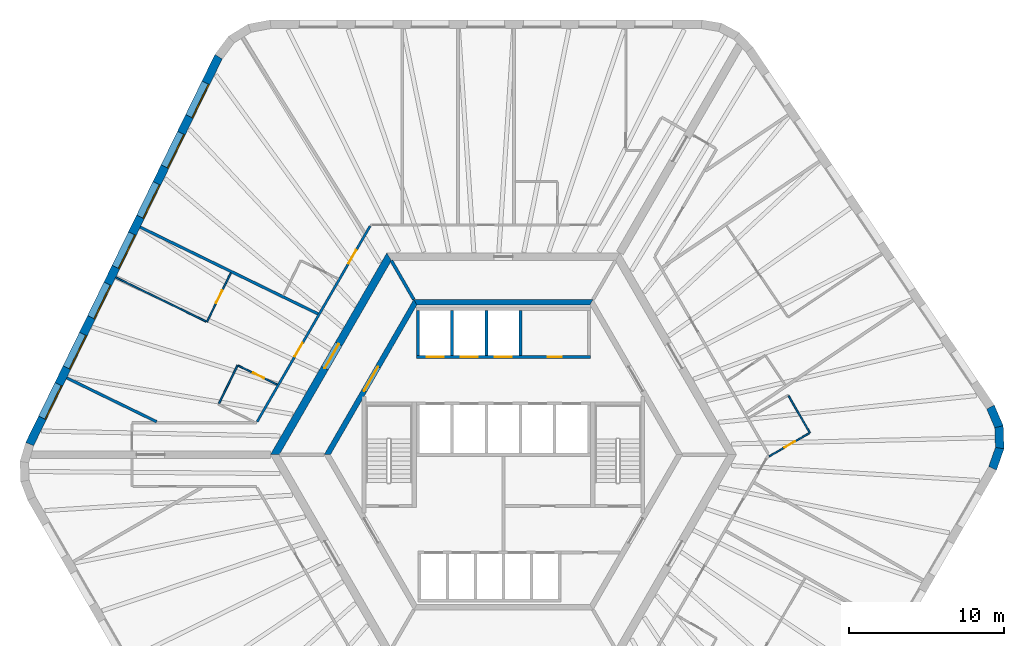
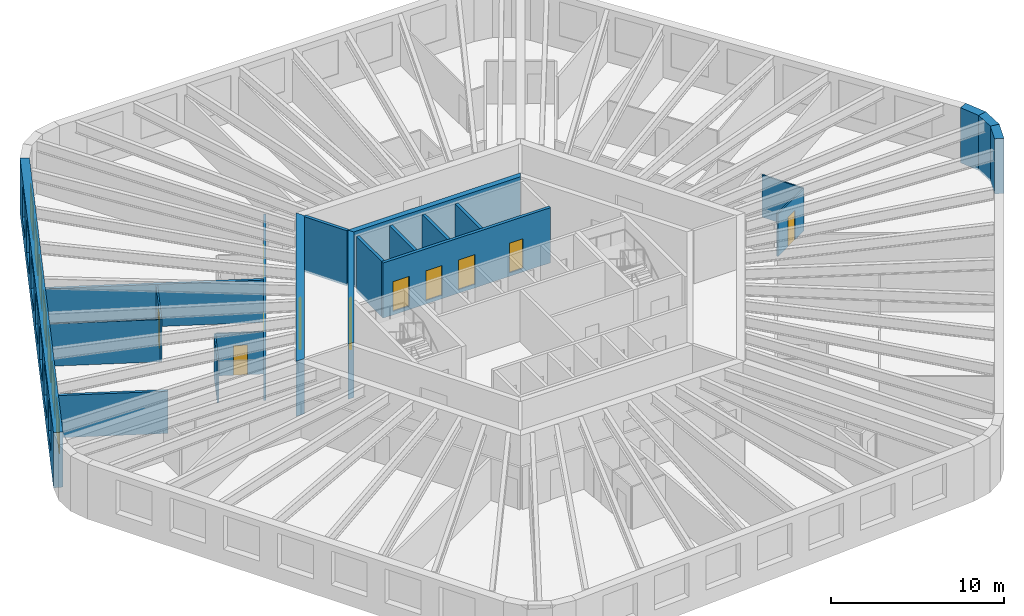
# One storey, part 6 of 9: 22 walls, 11 doors, 7 windows, 18 openings.
"""IFC4 building model written with IfcOpenShell, lengths in metres."""

import ifcopenshell
import ifcopenshell.guid

model = None  # the IFC model being written
_history = None  # IfcOwnerHistory: only IFC2X3 demands one
_inside = {}  # id of a spatial element -> (the spatial element, [elements in it])
_under = {}  # id of a project, library or spatial element -> (it, [spatial elements below it])
_declared = {}  # id of a project -> (the project, [libraries it declares])
_typed = {}  # id of a type object -> (the type object, [elements of that type])
_made_of = {}  # id of a material, layer set ... -> (it, [elements and type objects made of it])


def new_model(schema):
    """Start an empty IFC model of exactly this schema.

    Asked for "IFC4X3", IfcOpenShell would pick the latest addendum, in which some entities
    have other attributes; the version numbers below select the first issue.
    IFC2X3 requires an IfcOwnerHistory on every rooted entity: one is made here for all.
    """
    global model, _history
    if schema == "IFC4X3":
        model = ifcopenshell.file(schema_version=(4, 3, 0, 0))
    else:
        model = ifcopenshell.file(schema=schema)
    _inside.clear()
    _under.clear()
    _declared.clear()
    _typed.clear()
    _made_of.clear()
    _history = None
    if model.schema == "IFC2X3":
        org = make("IfcOrganization", Name="unknown")
        user = make(
            "IfcPersonAndOrganization",
            ThePerson=make("IfcPerson", FamilyName="unknown"),
            TheOrganization=org,
        )
        app = make(
            "IfcApplication",
            ApplicationDeveloper=org,
            Version="unknown",
            ApplicationFullName="unknown",
            ApplicationIdentifier="unknown",
        )
        _history = make(
            "IfcOwnerHistory",
            OwningUser=user,
            OwningApplication=app,
            ChangeAction="ADDED",
            CreationDate=0,
        )
    return model


def make(cls, **values):
    """One entity of the class cls with the attributes given. An attribute that is None is left unset."""
    return model.create_entity(
        cls, **{name: value for name, value in values.items() if value is not None}
    )


def rooted(cls, **values):
    """An entity with a GlobalId (a new one), such as an element, a storey or a relation."""
    return make(cls, GlobalId=ifcopenshell.guid.new(), OwnerHistory=_history, **values)


def si_unit(unit_type, name, prefix=None):
    """IfcSIUnit, for example si_unit("LENGTHUNIT", "METRE", prefix="MILLI")."""
    return make("IfcSIUnit", UnitType=unit_type, Prefix=prefix, Name=name)


def assignment(units):
    """IfcUnitAssignment: the units of a project."""
    return None if units is None else make("IfcUnitAssignment", Units=units)


def point(xyz):
    """IfcCartesianPoint."""
    return None if xyz is None else make("IfcCartesianPoint", Coordinates=xyz)


def direction(xyz):
    """IfcDirection."""
    return None if xyz is None else make("IfcDirection", DirectionRatios=xyz)


def frame(location, z_axis=None, x_axis=None):
    """IfcAxis2Placement3D, a coordinate frame: its origin and axes. An axis left out is left unset."""
    return make(
        "IfcAxis2Placement3D",
        Location=point(location),
        Axis=direction(z_axis),
        RefDirection=direction(x_axis),
    )


def frame_2d(location, x_axis=None):
    """IfcAxis2Placement2D, a coordinate frame in the plane: its origin and x axis."""
    return make(
        "IfcAxis2Placement2D", Location=point(location), RefDirection=direction(x_axis)
    )


def origin():
    """The frame at (0, 0, 0) with its axes left unset."""
    return frame((0.0, 0.0, 0.0))


def place(relative_to, where):
    """IfcLocalPlacement: puts the frame where relative to a parent placement (None: the world)."""
    return make(
        "IfcLocalPlacement", PlacementRelTo=relative_to, RelativePlacement=where
    )


def context(
    kind, dimensions, precision=None, world=None, true_north=None, identifier=None
):
    """IfcGeometricRepresentationContext, for example the 3D "Model" context."""
    return make(
        "IfcGeometricRepresentationContext",
        ContextIdentifier=identifier,
        ContextType=kind,
        CoordinateSpaceDimension=dimensions,
        Precision=precision,
        WorldCoordinateSystem=world,
        TrueNorth=true_north,
    )


def subcontext(parent, identifier, kind, view, scale=None):
    """IfcGeometricRepresentationSubContext, for example "Body" below "Model"."""
    return make(
        "IfcGeometricRepresentationSubContext",
        ContextIdentifier=identifier,
        ContextType=kind,
        ParentContext=parent,
        TargetScale=scale,
        TargetView=view,
    )


def project(units=None, contexts=None):
    """IfcProject with its units and contexts."""
    return rooted(
        "IfcProject",
        Name="project",
        RepresentationContexts=contexts,
        UnitsInContext=assignment(units),
    )


def spatial(cls, under=None, at=None, **own):
    """A site, building, storey or space (cls), placed at a placement, below another one or the project."""
    s = rooted(cls, ObjectPlacement=at, **own)
    if under is not None:
        _under.setdefault(under.id(), (under, []))[1].append(s)
    return s


def polyline(points):
    """IfcPolyline through the points."""
    return make("IfcPolyline", Points=[point(p) for p in points])


def profile(cls, at=None, kind="AREA", **sizes):
    """A parametric profile (cls). Its sizes go by their IFC names, for example OverallWidth=200.0."""
    return make(cls, ProfileType=kind, Position=at, **sizes)


def rectangle(**sizes):
    """IfcRectangleProfileDef."""
    return profile("IfcRectangleProfileDef", **sizes)


def outline(outer, holes=None, kind="AREA"):
    """IfcArbitraryClosedProfileDef: a profile drawn as a closed curve; with holes, ...WithVoids."""
    if holes is None:
        return make("IfcArbitraryClosedProfileDef", ProfileType=kind, OuterCurve=outer)
    return make(
        "IfcArbitraryProfileDefWithVoids",
        ProfileType=kind,
        OuterCurve=outer,
        InnerCurves=holes,
    )


def extrude(swept, where, along, depth):
    """IfcExtrudedAreaSolid: the profile swept, set in the frame where, extruded along a direction by depth."""
    return make(
        "IfcExtrudedAreaSolid",
        SweptArea=swept,
        Position=where,
        ExtrudedDirection=direction(along),
        Depth=depth,
    )


def shape(context_of_items, identifier, shape_type, items):
    """IfcShapeRepresentation: the items that make up one representation, for example the "Body"."""
    return make(
        "IfcShapeRepresentation",
        ContextOfItems=context_of_items,
        RepresentationIdentifier=identifier,
        RepresentationType=shape_type,
        Items=items,
    )


def material(Name=None, Category=None):
    """IfcMaterial."""
    return make("IfcMaterial", Name=Name, Category=Category)


def layer(
    of_material, thickness, ventilated=None, Name=None, Category=None, Priority=None
):
    """IfcMaterialLayer: one layer of a wall or slab, of a material (None: an air gap)."""
    return make(
        "IfcMaterialLayer",
        Material=of_material,
        LayerThickness=thickness,
        IsVentilated=ventilated,
        Name=Name,
        Category=Category,
        Priority=Priority,
    )


def layer_set(layers, Name=None):
    """IfcMaterialLayerSet."""
    return make("IfcMaterialLayerSet", MaterialLayers=layers, LayerSetName=Name)


def made_of(thing, what):
    """Note that an element or type object is made of a material, layer set ...; save() writes the relation."""
    if what is not None:
        _made_of.setdefault(what.id(), (what, []))[1].append(thing)
    return thing


def type_object(cls, material=None, **own):
    """A type object (cls), such as IfcWallType, which elements share."""
    return made_of(rooted(cls, **own), material)


def element(
    cls,
    number,
    at=None,
    inside=None,
    cuts=None,
    type_object=None,
    material=None,
    context=None,
    identifier="Body",
    shape_type=None,
    held_by="IfcProductDefinitionShape",
    body=None,
    shapes=None,
    **own,
):
    """One element of the class cls, such as IfcWall. Its Tag is "e" and its number.

    at: its placement. inside: the storey or other place that contains it. cuts: it is an
    opening in that element (IfcRelVoidsElement). A single representation is given by context,
    identifier, shape_type and body (its items); several are given by shapes. held_by: the class
    of the entity that holds the representations. save() writes the other relations.
    """
    e = rooted(cls, Tag="e%d" % number, ObjectPlacement=at, **own)
    if body is not None:
        shapes = [shape(context, identifier, shape_type, body)]
    if shapes is not None:
        e.Representation = make(held_by, Representations=shapes)
    if inside is not None:
        _inside.setdefault(inside.id(), (inside, []))[1].append(e)
    if cuts is not None:
        rooted(
            "IfcRelVoidsElement", RelatingBuildingElement=cuts, RelatedOpeningElement=e
        )
    if type_object is not None:
        _typed.setdefault(type_object.id(), (type_object, []))[1].append(e)
    return made_of(e, material)


def fill(opening, filler):
    """IfcRelFillsElement: the door or window that sits in an opening."""
    return rooted(
        "IfcRelFillsElement",
        RelatingOpeningElement=opening,
        RelatedBuildingElement=filler,
    )


def aggregate(whole, parts):
    """IfcRelAggregates: a whole, such as a stair, and the parts it consists of."""
    return rooted("IfcRelAggregates", RelatingObject=whole, RelatedObjects=parts)


def save(model, path):
    """Write the relations noted so far, then the file.

    IfcRelAggregates (storeys below a building ...), IfcRelContainedInSpatialStructure (elements
    in a storey), IfcRelDefinesByType, IfcRelAssociatesMaterial and IfcRelDeclares: one each for
    every whole, place, type object, material and project.
    """
    for whole, parts in _under.values():
        aggregate(whole, parts)
    for where, things in _inside.values():
        rooted(
            "IfcRelContainedInSpatialStructure",
            RelatedElements=things,
            RelatingStructure=where,
        )
    for kind, things in _typed.values():
        rooted("IfcRelDefinesByType", RelatedObjects=things, RelatingType=kind)
    for what, things in _made_of.values():
        rooted("IfcRelAssociatesMaterial", RelatedObjects=things, RelatingMaterial=what)
    for by, libraries in _declared.values():
        rooted("IfcRelDeclares", RelatingContext=by, RelatedDefinitions=libraries)
    model.write(path)


model = new_model("IFC4")

# Units and contexts
model_context = context("Model", 3, precision=1e-05, world=origin(), true_north=direction((0.0, 1.0)))
body_context = subcontext(model_context, "Body", "Model", "MODEL_VIEW")
ifc_project = project(units=[si_unit("LENGTHUNIT", "METRE"), si_unit("AREAUNIT", "SQUARE_METRE"), si_unit("VOLUMEUNIT", "CUBIC_METRE"), si_unit("PLANEANGLEUNIT", "RADIAN"), si_unit("MASSUNIT", "GRAM", prefix="KILO")], contexts=[model_context])

# Site, building, storey
site_placement = place(None, origin())
site = spatial("IfcSite", under=ifc_project, at=site_placement, CompositionType="ELEMENT")
building_placement = place(site_placement, origin())
building = spatial("IfcBuilding", under=site, at=building_placement, Name="Tarnside Tower", CompositionType="ELEMENT")
storey_placement = place(building_placement, frame((0.0, 0.0, 222.89990234375)))
storey = spatial("IfcBuildingStorey", under=building, at=storey_placement, Name="L53", CompositionType="ELEMENT", Elevation=222.89990234375)

# Wall
ifc_material_1 = material(Name="Gypsum board partition on steel studs", Category="steel")
ifc_layer_1 = layer(ifc_material_1, 0.10009765625)
ifc_layer_set_1 = layer_set([ifc_layer_1], Name="Bathroom wall 100")
wall_type_1 = type_object("IfcWallType", Name="Bathroom wall 100", PredefinedType="PARTITIONING", material=ifc_layer_set_1)
wall_1_placement = place(storey_placement, frame((-18.32763671875, 3.28662109375, 0.0), z_axis=(0.0, 0.0, 1.0), x_axis=(0.438385151252, 0.898787215731, 0.0)))
element("IfcWall", 1, at=wall_1_placement, inside=storey, type_object=wall_type_1, Name="Bathroom wall 17061", PredefinedType="PARTITIONING", context=body_context, shape_type="SweptSolid", body=[
    extrude(rectangle(XDim=2.75, YDim=0.10009765625, at=frame_2d((1.375, 0.0))), origin(), (0.0, 0.0, 1.0), 2.98779296875),
])

# Wall, opening, door
wall_2_placement = place(storey_placement, frame((-17.0771484375, 5.736572265625, 0.0), z_axis=(0.0, 0.0, 1.0), x_axis=(0.898777698277, -0.438404663616, 0.0)))
wall_2 = element("IfcWall", 2, at=wall_2_placement, inside=storey, type_object=wall_type_1, Name="Bathroom wall 17062", PredefinedType="PARTITIONING", context=body_context, shape_type="SweptSolid", body=[
    extrude(rectangle(XDim=2.78955078125, YDim=0.10009765625, at=frame_2d((1.394775390625, 0.0))), origin(), (0.0, 0.0, 1.0), 2.98779296875),
])
opening_1_placement = place(wall_2_placement, frame((1.050048828125, 0.0, 0.0)))
opening_1 = element("IfcOpeningElement", 3, at=opening_1_placement, cuts=wall_2, Name="Opening D-B1", PredefinedType="OPENING", context=body_context, shape_type="SweptSolid", body=[
    extrude(rectangle(XDim=0.800048828125, YDim=2.10009765625, at=frame_2d((0.39990234375, 1.050048828125))), frame((0.0, 0.06005859375, 0.0), z_axis=(0.0, -1.0, 0.0), x_axis=(1.0, 0.0, 0.0)), (0.0, 0.0, 1.0), 0.1201171875),
])
ifc_material_2 = material(Name="Timber door leaf", Category="wood")
door_type_1 = type_object("IfcDoorType", Name="Bathroom door 800", OperationType="NOTDEFINED", PredefinedType="DOOR", material=ifc_material_2)
door_1_placement = place(opening_1_placement, origin())
door_1 = element("IfcDoor", 4, at=door_1_placement, inside=storey, type_object=door_type_1, Name="Bathroom door 17010", OperationType="SINGLE_SWING_LEFT", OverallHeight=2.10009765625, OverallWidth=0.800048828125, PredefinedType="DOOR", context=body_context, shape_type="SweptSolid", body=[
    extrude(rectangle(XDim=0.800048828125, YDim=2.10009765625, at=frame_2d((0.39990234375, 1.050048828125))), frame((0.0, 0.02490234375, 0.0), z_axis=(0.0, -1.0, 0.0), x_axis=(1.0, 0.0, 0.0)), (0.0, 0.0, 1.0), 0.050048828125),
])
fill(opening_1, door_1)

# Wall
wall_3_placement = place(storey_placement, frame((18.36474609375, 3.791259765625, 0.0), z_axis=(0.0, 0.0, 1.0), x_axis=(0.499996545922, -0.866027397988, 0.0)))
element("IfcWall", 5, at=wall_3_placement, inside=storey, type_object=wall_type_1, Name="Bathroom wall 17090", PredefinedType="PARTITIONING", context=body_context, shape_type="SweptSolid", body=[
    extrude(rectangle(XDim=2.75, YDim=0.10009765625, at=frame_2d((1.375, 0.0))), origin(), (0.0, 0.0, 1.0), 2.98779296875),
])

# Wall, opening, door
wall_4_placement = place(storey_placement, frame((19.696533203125, 1.384765625, 0.0), z_axis=(0.0, 0.0, 1.0), x_axis=(-0.866036909293, -0.499980071345, 0.0)))
wall_4 = element("IfcWall", 6, at=wall_4_placement, inside=storey, type_object=wall_type_1, Name="Bathroom wall 17091", PredefinedType="PARTITIONING", context=body_context, shape_type="SweptSolid", body=[
    extrude(rectangle(XDim=2.98046875, YDim=0.10009765625, at=frame_2d((1.490234375, 0.0))), origin(), (0.0, 0.0, 1.0), 2.98779296875),
])
opening_2_placement = place(wall_4_placement, frame((1.050048828125, 0.0, 0.0)))
opening_2 = element("IfcOpeningElement", 7, at=opening_2_placement, cuts=wall_4, Name="Opening D-B1", PredefinedType="OPENING", context=body_context, shape_type="SweptSolid", body=[
    extrude(rectangle(XDim=0.800048828125, YDim=2.10009765625, at=frame_2d((0.39990234375, 1.050048828125))), frame((0.0, 0.06005859375, 0.0), z_axis=(0.0, -1.0, 0.0), x_axis=(1.0, 0.0, 0.0)), (0.0, 0.0, 1.0), 0.1201171875),
])
door_2_placement = place(opening_2_placement, origin())
door_2 = element("IfcDoor", 8, at=door_2_placement, inside=storey, type_object=door_type_1, Name="Bathroom door 17028", OperationType="SINGLE_SWING_RIGHT", OverallHeight=2.10009765625, OverallWidth=0.800048828125, PredefinedType="DOOR", context=body_context, shape_type="SweptSolid", body=[
    extrude(rectangle(XDim=0.800048828125, YDim=2.10009765625, at=frame_2d((0.39990234375, 1.050048828125))), frame((0.0, 0.02490234375, 0.0), z_axis=(0.0, -1.0, 0.0), x_axis=(1.0, 0.0, 0.0)), (0.0, 0.0, 1.0), 0.050048828125),
])
fill(opening_2, door_2)

ifc_material_3 = material(Name="Concrete C50/60", Category="concrete")
ifc_layer_2 = layer(ifc_material_3, 0.35009765625)
ifc_layer_set_2 = layer_set([ifc_layer_2], Name="Core block wall 350 C50/60")
wall_type_2 = type_object("IfcWallType", Name="Core block wall 350 C50/60", PredefinedType="SHEAR", material=ifc_layer_set_2)
wall_5_placement = place(storey_placement, frame((-5.672607421875, 9.824951171875, -0.14990234375), z_axis=(0.0, 0.0, 1.0), x_axis=(-0.499995046907, -0.866028263435, 0.0)))
wall_5 = element("IfcWall", 9, at=wall_5_placement, inside=storey, type_object=wall_type_2, Name="L53 core block wall face 2", PredefinedType="SHEAR", context=body_context, shape_type="SweptSolid", body=[
    extrude(outline(polyline([(-0.10107421875, -0.175048828125), (11.44580078125, -0.175048828125), (11.24365234375, 0.175048828125), (0.10107421875, 0.175048828125), (-0.10107421875, -0.175048828125)])), origin(), (0.0, 0.0, 1.0), 3.89990234375),
])
opening_3_placement = place(wall_5_placement, frame((4.80126953125, 0.0, 0.14990234375)))
opening_3 = element("IfcOpeningElement", 10, at=opening_3_placement, cuts=wall_5, Name="Opening CD-LOB", PredefinedType="OPENING", context=body_context, shape_type="SweptSolid", body=[
    extrude(rectangle(XDim=1.800048828125, YDim=2.39990234375, at=frame_2d((0.89990234375, 1.199951171875))), frame((0.0, 0.18505859375, 0.0), z_axis=(0.0, -1.0, 0.0), x_axis=(1.0, 0.0, 0.0)), (0.0, 0.0, 1.0), 0.3701171875),
])
ifc_material_4 = material(Name="Steel fire door", Category="steel")
door_type_2 = type_object("IfcDoorType", Name="Lobby double door FD30S 1800x2400", OperationType="NOTDEFINED", PredefinedType="DOOR", material=ifc_material_4)
door_3_placement = place(opening_3_placement, origin())
door_3 = element("IfcDoor", 11, at=door_3_placement, inside=storey, type_object=door_type_2, Name="L53 lobby block door P1", OperationType="DOUBLE_DOOR_SINGLE_SWING", OverallHeight=2.39990234375, OverallWidth=1.800048828125, PredefinedType="DOOR", context=body_context, shape_type="SweptSolid", body=[
    extrude(rectangle(XDim=1.800048828125, YDim=2.39990234375, at=frame_2d((0.89990234375, 1.199951171875))), frame((0.0, 0.02490234375, 0.0), z_axis=(0.0, -1.0, 0.0), x_axis=(1.0, 0.0, 0.0)), (0.0, 0.0, 1.0), 0.050048828125),
])
fill(opening_3, door_3)

# Wall
wall_6_placement = place(storey_placement, frame((5.672607421875, 9.824951171875, -0.14990234375), z_axis=(0.0, 0.0, 1.0), x_axis=(-1.0, 0.0, 0.0)))
element("IfcWall", 12, at=wall_6_placement, inside=storey, type_object=wall_type_2, Name="L53 core block wall face 1", PredefinedType="SHEAR", context=body_context, shape_type="SweptSolid", body=[
    extrude(outline(polyline([(-0.10107421875, -0.175048828125), (11.4462890625, -0.175048828125), (11.244140625, 0.175048828125), (0.10107421875, 0.175048828125), (-0.10107421875, -0.175048828125)])), origin(), (0.0, 0.0, 1.0), 3.89990234375),
])

# Wall, opening, door
ifc_material_5 = material(Name="Concrete C70/85", Category="concrete")
ifc_layer_3 = layer(ifc_material_5, 0.5)
ifc_layer_set_3 = layer_set([ifc_layer_3], Name="Core wall Z2 500 C70/85")
wall_type_3 = type_object("IfcWallType", Name="Core wall Z2 500 C70/85", PredefinedType="SHEAR", material=ifc_layer_set_3)
wall_7_placement = place(storey_placement, frame((-7.361083984375, 12.75, -0.14990234375), z_axis=(0.0, 0.0, 1.0), x_axis=(-0.50000571537, -0.866022103989, 0.0)))
wall_7 = element("IfcWall", 13, at=wall_7_placement, inside=storey, type_object=wall_type_3, Name="L53 core wall face 2", PredefinedType="SHEAR", context=body_context, shape_type="SweptSolid", body=[
    extrude(outline(polyline([(-0.144287109375, -0.25), (14.86669921875, -0.25), (14.578125, 0.25), (0.144287109375, 0.25), (-0.144287109375, -0.25)])), origin(), (0.0, 0.0, 1.0), 3.89990234375),
])
opening_4_placement = place(wall_7_placement, frame((6.489990234375, 0.0, 0.14990234375)))
opening_4 = element("IfcOpeningElement", 14, at=opening_4_placement, cuts=wall_7, Name="Opening CD-LOB", PredefinedType="OPENING", context=body_context, shape_type="SweptSolid", body=[
    extrude(rectangle(XDim=1.800048828125, YDim=2.39990234375, at=frame_2d((0.89990234375, 1.199951171875))), frame((0.0, 0.260009765625, 0.0), z_axis=(0.0, -1.0, 0.0), x_axis=(1.0, 0.0, 0.0)), (0.0, 0.0, 1.0), 0.52001953125),
])
door_4_placement = place(opening_4_placement, origin())
door_4 = element("IfcDoor", 15, at=door_4_placement, inside=storey, type_object=door_type_2, Name="L53 core door P1", OperationType="DOUBLE_DOOR_SINGLE_SWING", OverallHeight=2.39990234375, OverallWidth=1.800048828125, PredefinedType="DOOR", context=body_context, shape_type="SweptSolid", body=[
    extrude(rectangle(XDim=1.800048828125, YDim=2.39990234375, at=frame_2d((0.89990234375, 1.199951171875))), frame((0.0, 0.02490234375, 0.0), z_axis=(0.0, -1.0, 0.0), x_axis=(1.0, 0.0, 0.0)), (0.0, 0.0, 1.0), 0.050048828125),
])
fill(opening_4, door_4)

# Wall, openings, doors
ifc_layer_4 = layer(ifc_material_1, 0.14990234375)
ifc_layer_set_4 = layer_set([ifc_layer_4], Name="Corridor wall 150 EI 60")
wall_type_4 = type_object("IfcWallType", Name="Corridor wall 150 EI 60", PredefinedType="PARTITIONING", material=ifc_layer_set_4)
wall_8_placement = place(storey_placement, frame((-8.588134765625, 14.72509765625, 0.0), z_axis=(0.0, 0.0, 1.0), x_axis=(-0.499999403554, -0.866025748143, 0.0)))
wall_8 = element("IfcWall", 16, at=wall_8_placement, inside=storey, type_object=wall_type_4, Name="Corridor wall 17009", PredefinedType="PARTITIONING", context=body_context, shape_type="SweptSolid", body=[
    extrude(rectangle(XDim=14.54931640625, YDim=0.14990234375, at=frame_2d((7.274658203125, 0.0))), origin(), (0.0, 0.0, 1.0), 2.98779296875),
])
opening_5_placement = place(wall_8_placement, frame((1.781494140625, 0.0, 0.0)))
opening_5 = element("IfcOpeningElement", 17, at=opening_5_placement, cuts=wall_8, Name="Opening D-E1", PredefinedType="OPENING", context=body_context, shape_type="SweptSolid", body=[
    extrude(rectangle(XDim=1.0, YDim=2.10009765625, at=frame_2d((0.5, 1.050048828125))), frame((0.0, 0.0849609375, 0.0), z_axis=(0.0, -1.0, 0.0), x_axis=(1.0, 0.0, 0.0)), (0.0, 0.0, 1.0), 0.169921875),
])
opening_6_placement = place(wall_8_placement, frame((8.705322265625, 0.0, 0.0)))
opening_6 = element("IfcOpeningElement", 18, at=opening_6_placement, cuts=wall_8, Name="Opening D-E1", PredefinedType="OPENING", context=body_context, shape_type="SweptSolid", body=[
    extrude(rectangle(XDim=1.0, YDim=2.10009765625, at=frame_2d((0.5, 1.050048828125))), frame((0.0, 0.0849609375, 0.0), z_axis=(0.0, -1.0, 0.0), x_axis=(1.0, 0.0, 0.0)), (0.0, 0.0, 1.0), 0.169921875),
])
door_type_3 = type_object("IfcDoorType", Name="Unit entrance door 1000 FD30S", OperationType="NOTDEFINED", PredefinedType="DOOR", material=ifc_material_2)
door_5_placement = place(opening_5_placement, origin())
door_5 = element("IfcDoor", 19, at=door_5_placement, inside=storey, type_object=door_type_3, Name="Unit door 17007", OperationType="SINGLE_SWING_LEFT", OverallHeight=2.10009765625, OverallWidth=1.0, PredefinedType="DOOR", context=body_context, shape_type="SweptSolid", body=[
    extrude(rectangle(XDim=1.0, YDim=2.10009765625, at=frame_2d((0.5, 1.050048828125))), frame((0.0, 0.02490234375, 0.0), z_axis=(0.0, -1.0, 0.0), x_axis=(1.0, 0.0, 0.0)), (0.0, 0.0, 1.0), 0.050048828125),
])
fill(opening_5, door_5)
door_6_placement = place(opening_6_placement, origin())
door_6 = element("IfcDoor", 20, at=door_6_placement, inside=storey, type_object=door_type_3, Name="Unit door 17009", OperationType="SINGLE_SWING_RIGHT", OverallHeight=2.10009765625, OverallWidth=1.0, PredefinedType="DOOR", context=body_context, shape_type="SweptSolid", body=[
    extrude(rectangle(XDim=1.0, YDim=2.10009765625, at=frame_2d((0.5, 1.050048828125))), frame((0.0, 0.02490234375, 0.0), z_axis=(0.0, -1.0, 0.0), x_axis=(1.0, 0.0, 0.0)), (0.0, 0.0, 1.0), 0.050048828125),
])
fill(opening_6, door_6)

# Walls
ifc_layer_5 = layer(ifc_material_1, 0.179931640625)
ifc_layer_set_5 = layer_set([ifc_layer_5], Name="Demising wall 180 EI 60")
wall_type_5 = type_object("IfcWallType", Name="Demising wall 180 EI 60", PredefinedType="PARTITIONING", material=ifc_layer_set_5)
wall_9_placement = place(storey_placement, frame((-23.392822265625, 14.656005859375, 0.0), z_axis=(0.0, 0.0, 1.0), x_axis=(0.898790356386, -0.438378712152, 0.0)))
element("IfcWall", 21, at=wall_9_placement, inside=storey, type_object=wall_type_5, Name="Demising wall 17057", PredefinedType="PARTITIONING", context=body_context, shape_type="SweptSolid", body=[
    extrude(rectangle(XDim=12.742919921875, YDim=0.179931640625, at=frame_2d((6.37158203125, 0.0))), origin(), (0.0, 0.0, 1.0), 2.98779296875),
])
wall_10_placement = place(storey_placement, frame((-28.127197265625, 4.948974609375, 0.0), z_axis=(0.0, 0.0, 1.0), x_axis=(0.898795032868, -0.438369124017, 0.0)))
element("IfcWall", 22, at=wall_10_placement, inside=storey, type_object=wall_type_5, Name="Demising wall 17065", PredefinedType="PARTITIONING", context=body_context, shape_type="SweptSolid", body=[
    extrude(rectangle(XDim=6.44189453125, YDim=0.179931640625, at=frame_2d((3.220947265625, 0.0))), origin(), (0.0, 0.0, 1.0), 2.98779296875),
])

# Wall, openings, doors
ifc_material_6 = material(Name="Concrete C40/50", Category="concrete")
ifc_layer_6 = layer(ifc_material_6, 0.199951171875)
ifc_layer_set_6 = layer_set([ifc_layer_6], Name="Lift shaft wall 200 C40/50")
wall_type_6 = type_object("IfcWallType", Name="Lift shaft wall 200 C40/50", PredefinedType="SHEAR", material=ifc_layer_set_6)
wall_11_placement = place(storey_placement, frame((-5.60009765625, 6.300048828125, -0.25), z_axis=(0.0, 0.0, 1.0), x_axis=(1.0, 0.0, 0.0)))
wall_11 = element("IfcWall", 23, at=wall_11_placement, inside=storey, type_object=wall_type_6, Name="L53 lift shaft front wall R1", PredefinedType="SHEAR", context=body_context, shape_type="SweptSolid", body=[
    extrude(rectangle(XDim=11.2001953125, YDim=0.199951171875, at=frame_2d((5.60009765625, 0.0))), origin(), (0.0, 0.0, 1.0), 3.900146484375),
])
opening_7_placement = place(wall_11_placement, frame((8.449951171875, 0.0, 0.25)))
opening_7 = element("IfcOpeningElement", 24, at=opening_7_placement, cuts=wall_11, Name="Opening CD-room", PredefinedType="OPENING", context=body_context, shape_type="SweptSolid", body=[
    extrude(rectangle(XDim=0.89990234375, YDim=2.10009765625, at=frame_2d((0.449951171875, 1.050048828125))), frame((0.0, 0.10986328125, 0.0), z_axis=(0.0, -1.0, 0.0), x_axis=(1.0, 0.0, 0.0)), (0.0, 0.0, 1.0), 0.219970703125),
])
opening_8_placement = place(wall_11_placement, frame((0.64990234375, 0.0, 0.25)))
opening_8 = element("IfcOpeningElement", 25, at=opening_8_placement, cuts=wall_11, Name="Opening LD", PredefinedType="OPENING", context=body_context, shape_type="SweptSolid", body=[
    extrude(rectangle(XDim=1.10009765625, YDim=2.10009765625, at=frame_2d((0.550048828125, 1.050048828125))), frame((0.0, 0.10986328125, 0.0), z_axis=(0.0, -1.0, 0.0), x_axis=(1.0, 0.0, 0.0)), (0.0, 0.0, 1.0), 0.219970703125),
])
opening_9_placement = place(wall_11_placement, frame((2.85009765625, 0.0, 0.25)))
opening_9 = element("IfcOpeningElement", 26, at=opening_9_placement, cuts=wall_11, Name="Opening LD", PredefinedType="OPENING", context=body_context, shape_type="SweptSolid", body=[
    extrude(rectangle(XDim=1.10009765625, YDim=2.10009765625, at=frame_2d((0.550048828125, 1.050048828125))), frame((0.0, 0.10986328125, 0.0), z_axis=(0.0, -1.0, 0.0), x_axis=(1.0, 0.0, 0.0)), (0.0, 0.0, 1.0), 0.219970703125),
])
opening_10_placement = place(wall_11_placement, frame((5.050048828125, 0.0, 0.25)))
opening_10 = element("IfcOpeningElement", 27, at=opening_10_placement, cuts=wall_11, Name="Opening LD", PredefinedType="OPENING", context=body_context, shape_type="SweptSolid", body=[
    extrude(rectangle(XDim=1.10009765625, YDim=2.10009765625, at=frame_2d((0.550048828125, 1.050048828125))), frame((0.0, 0.10986328125, 0.0), z_axis=(0.0, -1.0, 0.0), x_axis=(1.0, 0.0, 0.0)), (0.0, 0.0, 1.0), 0.219970703125),
])
ifc_material_7 = material(Name="Stainless steel", Category="steel")
door_type_4 = type_object("IfcDoorType", Name="Lift landing door 1100x2100", OperationType="NOTDEFINED", PredefinedType="DOOR", material=ifc_material_7)
door_7_placement = place(opening_8_placement, origin())
door_7 = element("IfcDoor", 28, at=door_7_placement, inside=storey, type_object=door_type_4, Name="Mid-rise lift 1 landing door L53", OperationType="SLIDING_TO_LEFT", OverallHeight=2.10009765625, OverallWidth=1.10009765625, PredefinedType="DOOR", context=body_context, shape_type="SweptSolid", body=[
    extrude(rectangle(XDim=1.10009765625, YDim=2.10009765625, at=frame_2d((0.550048828125, 1.050048828125))), frame((0.0, 0.02490234375, 0.0), z_axis=(0.0, -1.0, 0.0), x_axis=(1.0, 0.0, 0.0)), (0.0, 0.0, 1.0), 0.050048828125),
])
fill(opening_8, door_7)
door_8_placement = place(opening_9_placement, origin())
door_8 = element("IfcDoor", 29, at=door_8_placement, inside=storey, type_object=door_type_4, Name="Mid-rise lift 2 landing door L53", OperationType="SLIDING_TO_LEFT", OverallHeight=2.10009765625, OverallWidth=1.10009765625, PredefinedType="DOOR", context=body_context, shape_type="SweptSolid", body=[
    extrude(rectangle(XDim=1.10009765625, YDim=2.10009765625, at=frame_2d((0.550048828125, 1.050048828125))), frame((0.0, 0.02490234375, 0.0), z_axis=(0.0, -1.0, 0.0), x_axis=(1.0, 0.0, 0.0)), (0.0, 0.0, 1.0), 0.050048828125),
])
fill(opening_9, door_8)
door_9_placement = place(opening_10_placement, origin())
door_9 = element("IfcDoor", 30, at=door_9_placement, inside=storey, type_object=door_type_4, Name="Mid-rise lift 3 landing door L53", OperationType="SLIDING_TO_LEFT", OverallHeight=2.10009765625, OverallWidth=1.10009765625, PredefinedType="DOOR", context=body_context, shape_type="SweptSolid", body=[
    extrude(rectangle(XDim=1.10009765625, YDim=2.10009765625, at=frame_2d((0.550048828125, 1.050048828125))), frame((0.0, 0.02490234375, 0.0), z_axis=(0.0, -1.0, 0.0), x_axis=(1.0, 0.0, 0.0)), (0.0, 0.0, 1.0), 0.050048828125),
])
fill(opening_10, door_9)
door_type_5 = type_object("IfcDoorType", Name="Room door FD60 900x2100", OperationType="NOTDEFINED", PredefinedType="DOOR", material=ifc_material_4)
door_10_placement = place(opening_7_placement, origin())
door_10 = element("IfcDoor", 31, at=door_10_placement, inside=storey, type_object=door_type_5, Name="L53 core room door FC1", OperationType="SINGLE_SWING_LEFT", OverallHeight=2.10009765625, OverallWidth=0.89990234375, PredefinedType="DOOR", context=body_context, shape_type="SweptSolid", body=[
    extrude(rectangle(XDim=0.89990234375, YDim=2.10009765625, at=frame_2d((0.449951171875, 1.050048828125))), frame((0.0, 0.02490234375, 0.0), z_axis=(0.0, -1.0, 0.0), x_axis=(1.0, 0.0, 0.0)), (0.0, 0.0, 1.0), 0.050048828125),
])
fill(opening_7, door_10)

# Walls
for number, where, z_axis, x_axis, name in (
    (32, (-5.5, 6.39990234375, -0.25), (0.0, 0.0, 1.0), (0.0, 1.0, 0.0), "L53 lift shaft partition R11"),
    (33, (-3.300048828125, 6.39990234375, -0.25), (0.0, 0.0, 1.0), (0.0, 1.0, 0.0), "L53 lift shaft partition R12"),
    (34, (-1.10009765625, 6.39990234375, -0.25), (0.0, 0.0, 1.0), (0.0, 1.0, 0.0), "L53 lift shaft partition R13"),
    (35, (1.10009765625, 6.39990234375, -0.25), (0.0, 0.0, 1.0), (0.0, 1.0, 0.0), "L53 lift shaft partition R14"),
):
    element("IfcWall", number, at=place(storey_placement, frame(where, z_axis=z_axis, x_axis=x_axis)), inside=storey, type_object=wall_type_6, Name=name, PredefinedType="SHEAR", context=body_context, shape_type="SweptSolid", body=[
        extrude(rectangle(XDim=2.900146484375, YDim=0.199951171875, at=frame_2d((1.4501953125, 0.0))), origin(), (0.0, 0.0, 1.0), 3.900146484375),
    ])
wall_12_placement = place(storey_placement, frame((-5.7734375, 10.0, -0.14990234375), z_axis=(0.0, 0.0, 1.0), x_axis=(-0.499995765644, 0.866027848477, 0.0)))
element("IfcWall", 36, at=wall_12_placement, inside=storey, type_object=wall_type_6, Name="L53 core partition AR120", PredefinedType="SHEAR", context=body_context, shape_type="SweptSolid", body=[
    extrude(rectangle(XDim=2.88671875, YDim=0.199951171875, at=frame_2d((1.443359375, 0.0))), origin(), (0.0, 0.0, 1.0), 3.89990234375),
])

# Wall, opening, door
ifc_layer_7 = layer(ifc_material_1, 0.10009765625)
ifc_layer_set_7 = layer_set([ifc_layer_7], Name="Partition 100")
wall_type_7 = type_object("IfcWallType", Name="Partition 100", PredefinedType="PARTITIONING", material=ifc_layer_set_7)
wall_13_placement = place(storey_placement, frame((-17.55712890625, 11.709716796875, 0.0), z_axis=(0.0, 0.0, 1.0), x_axis=(-0.438400335718, -0.898779809321, 0.0)))
wall_13 = element("IfcWall", 37, at=wall_13_placement, inside=storey, type_object=wall_type_7, Name="Partition wall 17063", PredefinedType="PARTITIONING", context=body_context, shape_type="SweptSolid", body=[
    extrude(rectangle(XDim=3.510009765625, YDim=0.10009765625, at=frame_2d((1.7548828125, 0.0))), origin(), (0.0, 0.0, 1.0), 2.98779296875),
])
opening_11_placement = place(wall_13_placement, frame((1.260009765625, 0.0, 0.0)))
opening_11 = element("IfcOpeningElement", 38, at=opening_11_placement, cuts=wall_13, Name="Opening D-I1", PredefinedType="OPENING", context=body_context, shape_type="SweptSolid", body=[
    extrude(rectangle(XDim=0.89990234375, YDim=2.10009765625, at=frame_2d((0.449951171875, 1.050048828125))), frame((0.0, 0.06005859375, 0.0), z_axis=(0.0, -1.0, 0.0), x_axis=(1.0, 0.0, 0.0)), (0.0, 0.0, 1.0), 0.1201171875),
])
door_type_6 = type_object("IfcDoorType", Name="Internal door 900", OperationType="NOTDEFINED", PredefinedType="DOOR", material=ifc_material_2)
door_11_placement = place(opening_11_placement, origin())
door_11 = element("IfcDoor", 39, at=door_11_placement, inside=storey, type_object=door_type_6, Name="Internal door 17011", OperationType="SINGLE_SWING_RIGHT", OverallHeight=2.10009765625, OverallWidth=0.89990234375, PredefinedType="DOOR", context=body_context, shape_type="SweptSolid", body=[
    extrude(rectangle(XDim=0.89990234375, YDim=2.10009765625, at=frame_2d((0.449951171875, 1.050048828125))), frame((0.0, 0.02490234375, 0.0), z_axis=(0.0, -1.0, 0.0), x_axis=(1.0, 0.0, 0.0)), (0.0, 0.0, 1.0), 0.050048828125),
])
fill(opening_11, door_11)

# Wall
wall_14_placement = place(storey_placement, frame((-19.140869140625, 8.57666015625, 0.0), z_axis=(0.0, 0.0, 1.0), x_axis=(-0.898794850282, 0.438369498377, 0.0)))
element("IfcWall", 40, at=wall_14_placement, inside=storey, type_object=wall_type_7, Name="Partition wall 17064", PredefinedType="PARTITIONING", context=body_context, shape_type="SweptSolid", body=[
    extrude(rectangle(XDim=6.486572265625, YDim=0.10009765625, at=frame_2d((3.2431640625, 0.0))), origin(), (0.0, 0.0, 1.0), 2.98779296875),
])

# Wall, openings, windows
ifc_material_8 = material(Name="Facing brick", Category="masonry")
ifc_layer_8 = layer(ifc_material_8, 0.10205078125)
ifc_material_9 = material(Name="Concrete C60/75 precast", Category="concrete")
ifc_layer_9 = layer(ifc_material_9, 0.347900390625)
ifc_material_10 = material(Name="Mineral wool insulation")
ifc_layer_10 = layer(ifc_material_10, 0.10009765625)
ifc_layer_set_8 = layer_set([ifc_layer_8, ifc_layer_9, ifc_layer_10], Name="Tube wall 550 brick faced")
wall_type_8 = type_object("IfcWallType", Name="Tube wall 550 brick faced", PredefinedType="SOLIDWALL", material=ifc_layer_set_8)
wall_15_placement = place(storey_placement, frame((-18.344970703125, 25.6328125, -0.14990234375), z_axis=(0.0, 0.0, 1.0), x_axis=(-0.43837181828, -0.898793718791, 0.0)))
wall_15 = element("IfcWall", 41, at=wall_15_placement, inside=storey, type_object=wall_type_8, Name="Tube wall L53 F2 flush 04", PredefinedType="SOLIDWALL", context=body_context, shape_type="SweptSolid", body=[
    extrude(outline(polyline([(-0.025634765625, -0.27490234375), (27.7802734375, -0.27490234375), (27.7353515625, 0.27490234375), (0.025634765625, 0.27490234375), (-0.025634765625, -0.27490234375)])), origin(), (0.0, 0.0, 1.0), 3.89990234375),
])
opening_12_placement = place(wall_15_placement, frame((1.87890625, 0.0, 1.050048828125)))
opening_12 = element("IfcOpeningElement", 42, at=opening_12_placement, cuts=wall_15, Name="Opening WH", PredefinedType="OPENING", context=body_context, shape_type="SweptSolid", body=[
    extrude(rectangle(XDim=2.39990234375, YDim=2.39990234375, at=frame_2d((1.199951171875, 1.199951171875))), frame((0.0, 0.28515625, 0.0), z_axis=(0.0, -1.0, 0.0), x_axis=(1.0, 0.0, 0.0)), (0.0, 0.0, 1.0), 0.570068359375),
])
opening_13_placement = place(wall_15_placement, frame((5.47900390625, 0.0, 1.050048828125)))
opening_13 = element("IfcOpeningElement", 43, at=opening_13_placement, cuts=wall_15, Name="Opening WH", PredefinedType="OPENING", context=body_context, shape_type="SweptSolid", body=[
    extrude(rectangle(XDim=2.39990234375, YDim=2.39990234375, at=frame_2d((1.199951171875, 1.199951171875))), frame((0.0, 0.28515625, 0.0), z_axis=(0.0, -1.0, 0.0), x_axis=(1.0, 0.0, 0.0)), (0.0, 0.0, 1.0), 0.570068359375),
])
opening_14_placement = place(wall_15_placement, frame((9.078857421875, 0.0, 1.050048828125)))
opening_14 = element("IfcOpeningElement", 44, at=opening_14_placement, cuts=wall_15, Name="Opening WH", PredefinedType="OPENING", context=body_context, shape_type="SweptSolid", body=[
    extrude(rectangle(XDim=2.39990234375, YDim=2.39990234375, at=frame_2d((1.199951171875, 1.199951171875))), frame((0.0, 0.28515625, 0.0), z_axis=(0.0, -1.0, 0.0), x_axis=(1.0, 0.0, 0.0)), (0.0, 0.0, 1.0), 0.570068359375),
])
opening_15_placement = place(wall_15_placement, frame((12.678955078125, 0.0, 1.050048828125)))
opening_15 = element("IfcOpeningElement", 45, at=opening_15_placement, cuts=wall_15, Name="Opening WH", PredefinedType="OPENING", context=body_context, shape_type="SweptSolid", body=[
    extrude(rectangle(XDim=2.39990234375, YDim=2.39990234375, at=frame_2d((1.199951171875, 1.199951171875))), frame((0.0, 0.28515625, 0.0), z_axis=(0.0, -1.0, 0.0), x_axis=(1.0, 0.0, 0.0)), (0.0, 0.0, 1.0), 0.570068359375),
])
opening_16_placement = place(wall_15_placement, frame((16.27880859375, 0.0, 1.050048828125)))
opening_16 = element("IfcOpeningElement", 46, at=opening_16_placement, cuts=wall_15, Name="Opening WH", PredefinedType="OPENING", context=body_context, shape_type="SweptSolid", body=[
    extrude(rectangle(XDim=2.39990234375, YDim=2.39990234375, at=frame_2d((1.199951171875, 1.199951171875))), frame((0.0, 0.28515625, 0.0), z_axis=(0.0, -1.0, 0.0), x_axis=(1.0, 0.0, 0.0)), (0.0, 0.0, 1.0), 0.570068359375),
])
opening_17_placement = place(wall_15_placement, frame((19.87890625, 0.0, 1.050048828125)))
opening_17 = element("IfcOpeningElement", 47, at=opening_17_placement, cuts=wall_15, Name="Opening WH", PredefinedType="OPENING", context=body_context, shape_type="SweptSolid", body=[
    extrude(rectangle(XDim=2.39990234375, YDim=2.39990234375, at=frame_2d((1.199951171875, 1.199951171875))), frame((0.0, 0.28515625, 0.0), z_axis=(0.0, -1.0, 0.0), x_axis=(1.0, 0.0, 0.0)), (0.0, 0.0, 1.0), 0.570068359375),
])
opening_18_placement = place(wall_15_placement, frame((23.47900390625, 0.0, 1.050048828125)))
opening_18 = element("IfcOpeningElement", 48, at=opening_18_placement, cuts=wall_15, Name="Opening WH", PredefinedType="OPENING", context=body_context, shape_type="SweptSolid", body=[
    extrude(rectangle(XDim=2.39990234375, YDim=2.39990234375, at=frame_2d((1.199951171875, 1.199951171875))), frame((0.0, 0.28515625, 0.0), z_axis=(0.0, -1.0, 0.0), x_axis=(1.0, 0.0, 0.0)), (0.0, 0.0, 1.0), 0.570068359375),
])
ifc_material_11 = material(Name="Aluminium-framed double glazing", Category="aluminium")
window_type = type_object("IfcWindowType", Name="Hotel window 2400 x 2400", PartitioningType="DOUBLE_PANEL_VERTICAL", PredefinedType="WINDOW", material=ifc_material_11)
window_1_placement = place(opening_12_placement, frame((0.0, 0.205078125, 0.0)))
window_1 = element("IfcWindow", 49, at=window_1_placement, inside=storey, type_object=window_type, Name="E.WN.L53.F2.00", OverallHeight=2.39990234375, OverallWidth=2.39990234375, PartitioningType="DOUBLE_PANEL_VERTICAL", PredefinedType="WINDOW", context=body_context, shape_type="SweptSolid", body=[
    extrude(rectangle(XDim=2.39990234375, YDim=2.39990234375, at=frame_2d((1.199951171875, 1.199951171875))), frame((0.0, 0.030029296875, 0.0), z_axis=(0.0, -1.0, 0.0), x_axis=(1.0, 0.0, 0.0)), (0.0, 0.0, 1.0), 0.06005859375),
])
fill(opening_12, window_1)
window_2_placement = place(opening_13_placement, frame((0.0, 0.205078125, 0.0)))
window_2 = element("IfcWindow", 50, at=window_2_placement, inside=storey, type_object=window_type, Name="E.WN.L53.F2.01", OverallHeight=2.39990234375, OverallWidth=2.39990234375, PartitioningType="DOUBLE_PANEL_VERTICAL", PredefinedType="WINDOW", context=body_context, shape_type="SweptSolid", body=[
    extrude(rectangle(XDim=2.39990234375, YDim=2.39990234375, at=frame_2d((1.199951171875, 1.199951171875))), frame((0.0, 0.030029296875, 0.0), z_axis=(0.0, -1.0, 0.0), x_axis=(1.0, 0.0, 0.0)), (0.0, 0.0, 1.0), 0.06005859375),
])
fill(opening_13, window_2)
window_3_placement = place(opening_14_placement, frame((0.0, 0.205078125, 0.0)))
window_3 = element("IfcWindow", 51, at=window_3_placement, inside=storey, type_object=window_type, Name="E.WN.L53.F2.02", OverallHeight=2.39990234375, OverallWidth=2.39990234375, PartitioningType="DOUBLE_PANEL_VERTICAL", PredefinedType="WINDOW", context=body_context, shape_type="SweptSolid", body=[
    extrude(rectangle(XDim=2.39990234375, YDim=2.39990234375, at=frame_2d((1.199951171875, 1.199951171875))), frame((0.0, 0.030029296875, 0.0), z_axis=(0.0, -1.0, 0.0), x_axis=(1.0, 0.0, 0.0)), (0.0, 0.0, 1.0), 0.06005859375),
])
fill(opening_14, window_3)
window_4_placement = place(opening_15_placement, frame((0.0, 0.205078125, 0.0)))
window_4 = element("IfcWindow", 52, at=window_4_placement, inside=storey, type_object=window_type, Name="E.WN.L53.F2.03", OverallHeight=2.39990234375, OverallWidth=2.39990234375, PartitioningType="DOUBLE_PANEL_VERTICAL", PredefinedType="WINDOW", context=body_context, shape_type="SweptSolid", body=[
    extrude(rectangle(XDim=2.39990234375, YDim=2.39990234375, at=frame_2d((1.199951171875, 1.199951171875))), frame((0.0, 0.030029296875, 0.0), z_axis=(0.0, -1.0, 0.0), x_axis=(1.0, 0.0, 0.0)), (0.0, 0.0, 1.0), 0.06005859375),
])
fill(opening_15, window_4)
window_5_placement = place(opening_16_placement, frame((0.0, 0.205078125, 0.0)))
window_5 = element("IfcWindow", 53, at=window_5_placement, inside=storey, type_object=window_type, Name="E.WN.L53.F2.04", OverallHeight=2.39990234375, OverallWidth=2.39990234375, PartitioningType="DOUBLE_PANEL_VERTICAL", PredefinedType="WINDOW", context=body_context, shape_type="SweptSolid", body=[
    extrude(rectangle(XDim=2.39990234375, YDim=2.39990234375, at=frame_2d((1.199951171875, 1.199951171875))), frame((0.0, 0.030029296875, 0.0), z_axis=(0.0, -1.0, 0.0), x_axis=(1.0, 0.0, 0.0)), (0.0, 0.0, 1.0), 0.06005859375),
])
fill(opening_16, window_5)
window_6_placement = place(opening_17_placement, frame((0.0, 0.205078125, 0.0)))
window_6 = element("IfcWindow", 54, at=window_6_placement, inside=storey, type_object=window_type, Name="E.WN.L53.F2.05", OverallHeight=2.39990234375, OverallWidth=2.39990234375, PartitioningType="DOUBLE_PANEL_VERTICAL", PredefinedType="WINDOW", context=body_context, shape_type="SweptSolid", body=[
    extrude(rectangle(XDim=2.39990234375, YDim=2.39990234375, at=frame_2d((1.199951171875, 1.199951171875))), frame((0.0, 0.030029296875, 0.0), z_axis=(0.0, -1.0, 0.0), x_axis=(1.0, 0.0, 0.0)), (0.0, 0.0, 1.0), 0.06005859375),
])
fill(opening_17, window_6)
window_7_placement = place(opening_18_placement, frame((0.0, 0.205078125, 0.0)))
window_7 = element("IfcWindow", 55, at=window_7_placement, inside=storey, type_object=window_type, Name="E.WN.L53.F2.06", OverallHeight=2.39990234375, OverallWidth=2.39990234375, PartitioningType="DOUBLE_PANEL_VERTICAL", PredefinedType="WINDOW", context=body_context, shape_type="SweptSolid", body=[
    extrude(rectangle(XDim=2.39990234375, YDim=2.39990234375, at=frame_2d((1.199951171875, 1.199951171875))), frame((0.0, 0.030029296875, 0.0), z_axis=(0.0, -1.0, 0.0), x_axis=(1.0, 0.0, 0.0)), (0.0, 0.0, 1.0), 0.06005859375),
])
fill(opening_18, window_7)

# Walls
wall_16_placement = place(storey_placement, frame((31.509033203125, -0.874755859375, -0.14990234375), z_axis=(0.0, 0.0, 1.0), x_axis=(0.33111537203, 0.943590276765, 0.0)))
element("IfcWall", 56, at=wall_16_placement, inside=storey, type_object=wall_type_8, Name="Tube wall L53 F5 chord 17", PredefinedType="SOLIDWALL", context=body_context, shape_type="SweptSolid", body=[
    extrude(outline(polyline([(-0.025634765625, -0.27490234375), (1.4306640625, -0.27490234375), (1.3271484375, 0.27490234375), (0.025634765625, 0.27490234375), (-0.025634765625, -0.27490234375)])), origin(), (0.0, 0.0, 1.0), 3.89990234375),
])
wall_17_placement = place(storey_placement, frame((31.965576171875, 0.42626953125, -0.14990234375), z_axis=(0.0, 0.0, 1.0), x_axis=(-0.034876908462, 0.999391615562, 0.0)))
element("IfcWall", 57, at=wall_17_placement, inside=storey, type_object=wall_type_8, Name="Tube wall L53 F5 chord 18", PredefinedType="SOLIDWALL", context=body_context, shape_type="SweptSolid", body=[
    extrude(outline(polyline([(-0.0517578125, -0.27490234375), (1.4306640625, -0.27490234375), (1.3271484375, 0.27490234375), (0.0517578125, 0.27490234375), (-0.0517578125, -0.27490234375)])), origin(), (0.0, 0.0, 1.0), 3.89990234375),
])
wall_18_placement = place(storey_placement, frame((31.91748046875, 1.804443359375, -0.14990234375), z_axis=(0.0, 0.0, 1.0), x_axis=(-0.396225741392, 0.918153125496, 0.0)))
element("IfcWall", 58, at=wall_18_placement, inside=storey, type_object=wall_type_8, Name="Tube wall L53 F5 chord 19", PredefinedType="SOLIDWALL", context=body_context, shape_type="SweptSolid", body=[
    extrude(outline(polyline([(-0.0517578125, -0.27490234375), (1.404541015625, -0.27490234375), (1.353271484375, 0.27490234375), (0.0517578125, 0.27490234375), (-0.0517578125, -0.27490234375)])), origin(), (0.0, 0.0, 1.0), 3.89990234375),
])

save(model, "model.ifc")
